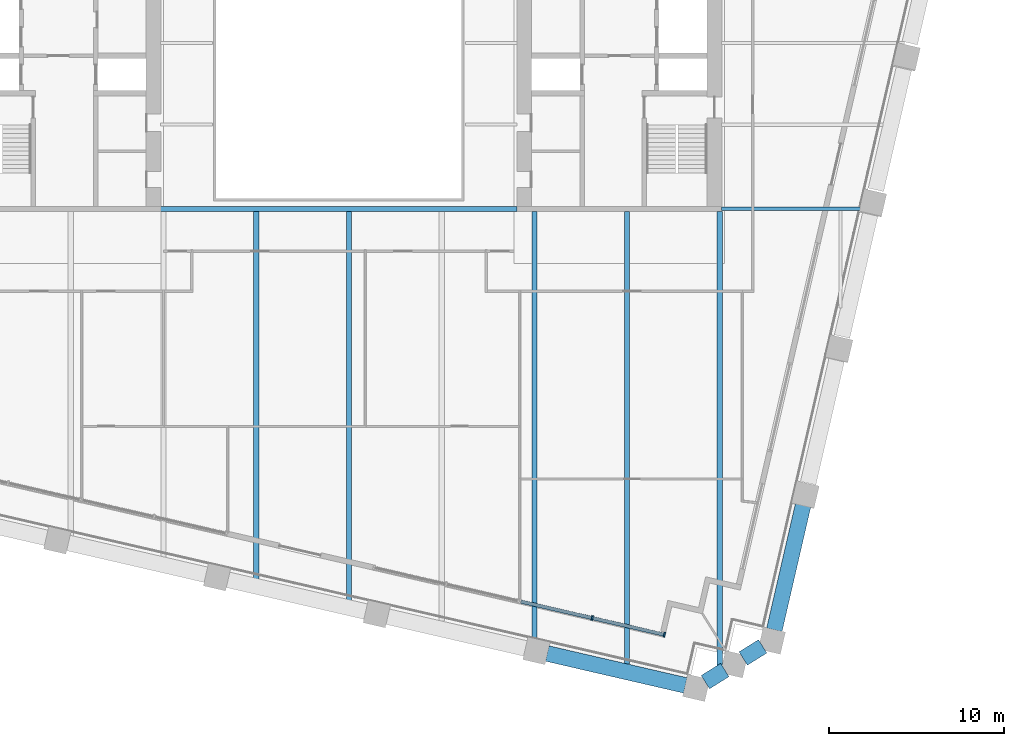
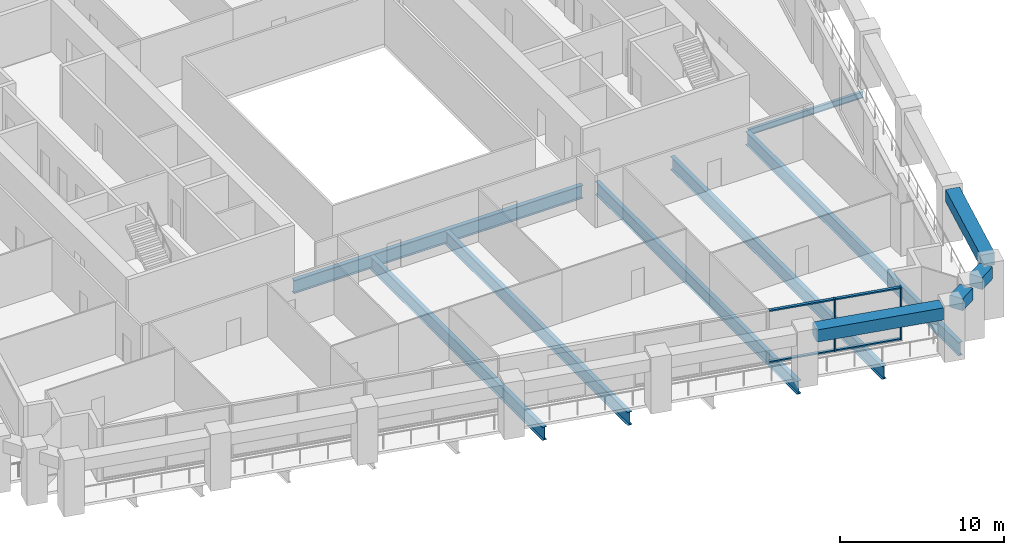
# One storey, part 3 of 12: 11 beams, 6 members, 1 element without a shape of its own.
"""IFC4 building model written with IfcOpenShell, lengths in metres."""

from ifc_helpers import new_model, si_unit, direction, frame, origin, origin_2d, place, context, subcontext, project, spatial, rectangle, i_section, extrude, material, material_profile, profile_set, type_object, element, aggregate, save


model = new_model("IFC4")

# Units and contexts
model_context = context("Model", 3, precision=1e-05, world=origin(), true_north=direction((0.0, 1.0)))
body_context = subcontext(model_context, "Body", "Model", "MODEL_VIEW")
ifc_project = project(units=[si_unit("LENGTHUNIT", "METRE"), si_unit("AREAUNIT", "SQUARE_METRE"), si_unit("VOLUMEUNIT", "CUBIC_METRE"), si_unit("PLANEANGLEUNIT", "RADIAN"), si_unit("MASSUNIT", "GRAM", prefix="KILO")], contexts=[model_context])

# Site, building, storey
site_placement = place(None, origin())
site = spatial("IfcSite", under=ifc_project, at=site_placement, CompositionType="ELEMENT")
building_placement = place(site_placement, origin())
building = spatial("IfcBuilding", under=site, at=building_placement, Name="Ogive Exchange Tower", CompositionType="ELEMENT")
storey_placement = place(building_placement, frame((0.0, 0.0, 156.0)))
storey = spatial("IfcBuildingStorey", under=building, at=storey_placement, Name="L34", CompositionType="ELEMENT", Elevation=156.0)

# Curtain wall, members
ifc_material_1 = material(Name="Anodised aluminium and clear glass", Category="aluminium")
curtain_wall_type = type_object("IfcCurtainWallType", Name="Executive floor glazing", PredefinedType="NOTDEFINED", material=ifc_material_1)
curtain_wall_placement = place(storey_placement, origin())
curtain_wall = element("IfcCurtainWall", 1, at=curtain_wall_placement, inside=storey, type_object=curtain_wall_type, Name="Executive floor glazing run G6", PredefinedType="NOTDEFINED")
ifc_material_2 = material(Name="Anodised aluminium", Category="aluminium")
ifc_material_profile_1 = material_profile(ifc_material_2, rectangle(XDim=0.280029296875, YDim=0.10009765625, at=origin_2d()), Name="AL 100x280")
ifc_profile_set_1 = profile_set([ifc_material_profile_1], Name="Anodised aluminium")
member_type_1 = type_object("IfcMemberType", Name="Executive floor glazing mullion 100 x 280", PredefinedType="MULLION", material=ifc_profile_set_1)
member_1_placement = place(storey_placement, frame((14.44970703125, -25.931640625, 0.0), z_axis=(0.0, 0.0, 1.0), x_axis=(0.224949196986, 0.974370493588, 0.0)))
member_1 = element("IfcMember", 2, at=member_1_placement, type_object=member_type_1, Name="G6 mullion 2", PredefinedType="MULLION", context=body_context, shape_type="SweptSolid", body=[
    extrude(rectangle(XDim=0.280029296875, YDim=0.10009765625, at=origin_2d()), origin(), (0.0, 0.0, 1.0), 3.89990234375),
])
member_2_placement = place(storey_placement, frame((18.56640625, -26.882080078125, 0.0), z_axis=(0.0, 0.0, 1.0), x_axis=(0.224949196986, 0.974370493588, 0.0)))
member_2 = element("IfcMember", 3, at=member_2_placement, type_object=member_type_1, Name="G6 mullion 3", PredefinedType="MULLION", context=body_context, shape_type="SweptSolid", body=[
    extrude(rectangle(XDim=0.280029296875, YDim=0.10009765625, at=origin_2d()), origin(), (0.0, 0.0, 1.0), 3.89990234375),
])
ifc_material_profile_2 = material_profile(ifc_material_2, rectangle(XDim=0.199951171875, YDim=0.10009765625, at=origin_2d()), Name="AL 100x200")
ifc_profile_set_2 = profile_set([ifc_material_profile_2], Name="Anodised aluminium")
member_type_2 = type_object("IfcMemberType", Name="Executive floor glazing transom 100 x 200", PredefinedType="USERDEFINED", material=ifc_profile_set_2)
member_3_placement = place(storey_placement, frame((10.3818359375, -24.99267578125, 0.050048828125), z_axis=(0.974380221837, -0.224907054788, 0.0), x_axis=(0.224907054788, 0.974380221837, 0.0)))
member_3 = element("IfcMember", 4, at=member_3_placement, type_object=member_type_2, Name="G6 transom 1.1", ObjectType="TRANSOM", PredefinedType="USERDEFINED", context=body_context, shape_type="SweptSolid", body=[
    extrude(rectangle(XDim=0.199951171875, YDim=0.10009765625, at=origin_2d()), origin(), (0.0, 0.0, 1.0), 4.125),
])
member_4_placement = place(storey_placement, frame((10.3818359375, -24.99267578125, 3.85009765625), z_axis=(0.974380221837, -0.224907054788, 0.0), x_axis=(0.224907054788, 0.974380221837, 0.0)))
member_4 = element("IfcMember", 5, at=member_4_placement, type_object=member_type_2, Name="G6 transom 1.2", ObjectType="TRANSOM", PredefinedType="USERDEFINED", context=body_context, shape_type="SweptSolid", body=[
    extrude(rectangle(XDim=0.199951171875, YDim=0.10009765625, at=origin_2d()), origin(), (0.0, 0.0, 1.0), 4.125),
])
member_5_placement = place(storey_placement, frame((14.49853515625, -25.943115234375, 0.050048828125), z_axis=(0.974380221837, -0.224907054788, 0.0), x_axis=(0.224907054788, 0.974380221837, 0.0)))
member_5 = element("IfcMember", 6, at=member_5_placement, type_object=member_type_2, Name="G6 transom 2.1", ObjectType="TRANSOM", PredefinedType="USERDEFINED", context=body_context, shape_type="SweptSolid", body=[
    extrude(rectangle(XDim=0.199951171875, YDim=0.10009765625, at=origin_2d()), origin(), (0.0, 0.0, 1.0), 4.125),
])
member_6_placement = place(storey_placement, frame((14.49853515625, -25.943115234375, 3.85009765625), z_axis=(0.974380221837, -0.224907054788, 0.0), x_axis=(0.224907054788, 0.974380221837, 0.0)))
member_6 = element("IfcMember", 7, at=member_6_placement, type_object=member_type_2, Name="G6 transom 2.2", ObjectType="TRANSOM", PredefinedType="USERDEFINED", context=body_context, shape_type="SweptSolid", body=[
    extrude(rectangle(XDim=0.199951171875, YDim=0.10009765625, at=origin_2d()), origin(), (0.0, 0.0, 1.0), 4.125),
])
aggregate(curtain_wall, [member_1, member_2, member_3, member_4, member_5, member_6])

# Beams
ifc_material_3 = material(Name="Steel ASTM A992 Gr50", Category="steel")
ifc_material_profile_3 = material_profile(ifc_material_3, i_section(OverallWidth=0.300048828125, OverallDepth=0.97998046875, WebThickness=0.0166015625, FlangeThickness=0.026123046875, at=origin_2d()), Name="W1000x249")
ifc_profile_set_3 = profile_set([ifc_material_profile_3], Name="Steel ASTM A992 Gr50")
beam_type_1 = type_object("IfcBeamType", Name="Floor beam W1000x249", PredefinedType="JOIST", material=ifc_profile_set_3)
beam_1_placement = place(storey_placement, frame((-4.71142578125, -23.813232421875, -0.739990234375), z_axis=(0.0, 1.0, 0.0), x_axis=(-1.0, 0.0, 0.0)))
element("IfcBeam", 8, at=beam_1_placement, inside=storey, type_object=beam_type_1, Name="Floor beam", PredefinedType="JOIST", context=body_context, shape_type="SweptSolid", body=[
    extrude(i_section(OverallWidth=0.300048828125, OverallDepth=0.97998046875, WebThickness=0.0166015625, FlangeThickness=0.026123046875, at=origin_2d()), origin(), (0.0, 0.0, 1.0), 21.068115234375),
])
beam_2_placement = place(storey_placement, frame((0.57666015625, -25.0341796875, -0.739990234375), z_axis=(0.0, 1.0, 0.0), x_axis=(-1.0, 0.0, 0.0)))
element("IfcBeam", 9, at=beam_2_placement, inside=storey, type_object=beam_type_1, Name="Floor beam", PredefinedType="JOIST", context=body_context, shape_type="SweptSolid", body=[
    extrude(i_section(OverallWidth=0.300048828125, OverallDepth=0.97998046875, WebThickness=0.0166015625, FlangeThickness=0.026123046875, at=origin_2d()), origin(), (0.0, 0.0, 1.0), 22.2890625),
])
beam_3_placement = place(storey_placement, frame((11.153076171875, -27.32568359375, -0.739990234375), z_axis=(0.0, 1.0, 0.0), x_axis=(-1.0, 0.0, 0.0)))
element("IfcBeam", 10, at=beam_3_placement, inside=storey, type_object=beam_type_1, Name="Floor beam", PredefinedType="JOIST", context=body_context, shape_type="SweptSolid", body=[
    extrude(i_section(OverallWidth=0.300048828125, OverallDepth=0.97998046875, WebThickness=0.0166015625, FlangeThickness=0.026123046875, at=origin_2d()), origin(), (0.0, 0.0, 1.0), 24.57568359375),
])
beam_4_placement = place(storey_placement, frame((16.441162109375, -28.546630859375, -0.739990234375), z_axis=(0.0, 1.0, 0.0), x_axis=(-1.0, 0.0, 0.0)))
element("IfcBeam", 11, at=beam_4_placement, inside=storey, type_object=beam_type_1, Name="Floor beam", PredefinedType="JOIST", context=body_context, shape_type="SweptSolid", body=[
    extrude(i_section(OverallWidth=0.300048828125, OverallDepth=0.97998046875, WebThickness=0.0166015625, FlangeThickness=0.026123046875, at=origin_2d()), origin(), (0.0, 0.0, 1.0), 25.796630859375),
])
beam_5_placement = place(storey_placement, frame((21.729248046875, -28.6943359375, -0.739990234375), z_axis=(0.0, 1.0, 0.0), x_axis=(-1.0, 0.0, 0.0)))
element("IfcBeam", 12, at=beam_5_placement, inside=storey, type_object=beam_type_1, Name="Floor beam", PredefinedType="JOIST", context=body_context, shape_type="SweptSolid", body=[
    extrude(i_section(OverallWidth=0.300048828125, OverallDepth=0.97998046875, WebThickness=0.0166015625, FlangeThickness=0.026123046875, at=origin_2d()), origin(), (0.0, 0.0, 1.0), 25.9443359375),
])
ifc_material_profile_4 = material_profile(ifc_material_3, i_section(OverallWidth=0.300048828125, OverallDepth=0.97998046875, WebThickness=0.0166015625, FlangeThickness=0.026123046875, at=origin_2d()), Name="W1000x249")
ifc_profile_set_4 = profile_set([ifc_material_profile_4], Name="Steel ASTM A992 Gr50")
beam_type_2 = type_object("IfcBeamType", Name="Girder W1000x249", PredefinedType="BEAM", material=ifc_profile_set_4)
beam_6_placement = place(storey_placement, frame((-10.169921875, -2.594970703125, -0.739990234375), z_axis=(1.0, 0.0, 0.0), x_axis=(0.0, 1.0, 0.0)))
element("IfcBeam", 13, at=beam_6_placement, inside=storey, type_object=beam_type_2, Name="Header girder", PredefinedType="BEAM", context=body_context, shape_type="SweptSolid", body=[
    extrude(i_section(OverallWidth=0.300048828125, OverallDepth=0.97998046875, WebThickness=0.0166015625, FlangeThickness=0.026123046875, at=origin_2d()), origin(), (0.0, 0.0, 1.0), 20.33984375),
])
ifc_material_profile_5 = material_profile(ifc_material_3, i_section(OverallWidth=0.19091796875, OverallDepth=0.45703125, WebThickness=0.009033203125, FlangeThickness=0.014404296875, at=origin_2d()), Name="W460x74")
ifc_profile_set_5 = profile_set([ifc_material_profile_5], Name="Steel ASTM A992 Gr50")
beam_type_3 = type_object("IfcBeamType", Name="Girder W460x74", PredefinedType="BEAM", material=ifc_profile_set_5)
beam_7_placement = place(storey_placement, frame((21.830078125, -2.594970703125, -0.478515625), z_axis=(1.0, 0.0, 0.0), x_axis=(0.0, 1.0, 0.0)))
element("IfcBeam", 14, at=beam_7_placement, inside=storey, type_object=beam_type_3, Name="Header girder", PredefinedType="BEAM", context=body_context, shape_type="SweptSolid", body=[
    extrude(i_section(OverallWidth=0.19091796875, OverallDepth=0.45703125, WebThickness=0.009033203125, FlangeThickness=0.014404296875, at=origin_2d()), origin(), (0.0, 0.0, 1.0), 8.0908203125),
])
ifc_material_4 = material(Name="Precast concrete C70/85 (limestone faced)", Category="masonry")
ifc_material_profile_6 = material_profile(ifc_material_4, rectangle(XDim=0.89990234375, YDim=0.89990234375, at=origin_2d()), Name="900 x 900")
ifc_profile_set_6 = profile_set([ifc_material_profile_6], Name="Precast concrete C70/85 (limestone faced)")
beam_type_4 = type_object("IfcBeamType", Name="Precast spandrel 900 x 900 C70/85", PredefinedType="SPANDREL", material=ifc_profile_set_6)
beam_8_placement = place(storey_placement, frame((11.883544921875, -27.956298828125, 3.5), z_axis=(0.974370337884, -0.224949871421, 0.0), x_axis=(0.224949871421, 0.974370337884, 0.0)))
element("IfcBeam", 15, at=beam_8_placement, inside=storey, type_object=beam_type_4, Name="Spandrel 6", PredefinedType="SPANDREL", context=body_context, shape_type="SweptSolid", body=[
    extrude(rectangle(XDim=0.89990234375, YDim=0.89990234375, at=origin_2d()), origin(), (0.0, 0.0, 1.0), 8.08984375),
])
for number, where, z_axis, x_axis, name in (
    (16, (20.9052734375, -29.58984375, 3.5), (0.848040277303, 0.529931776808, 0.0), (-0.529931776808, 0.848040277303, 0.0), "Spandrel 7"),
    (17, (23.06396484375, -28.24072265625, 3.5), (0.848092721491, 0.529847842077, 0.0), (-0.529847842077, 0.848092721491, 0.0), "Spandrel 8"),
):
    element("IfcBeam", number, at=place(storey_placement, frame(where, z_axis=z_axis, x_axis=x_axis)), inside=storey, type_object=beam_type_4, Name=name, PredefinedType="SPANDREL", context=body_context, shape_type="SweptSolid", body=[
        extrude(rectangle(XDim=0.89990234375, YDim=0.89990234375, at=origin_2d()), origin(), (0.0, 0.0, 1.0), 1.30712890625),
    ])
beam_9_placement = place(storey_placement, frame((24.83935546875, -26.606201171875, 3.5), z_axis=(0.224942243919, 0.97437209879, 0.0), x_axis=(-0.97437209879, 0.224942243919, 0.0)))
element("IfcBeam", 18, at=beam_9_placement, inside=storey, type_object=beam_type_4, Name="Spandrel 9", PredefinedType="SPANDREL", context=body_context, shape_type="SweptSolid", body=[
    extrude(rectangle(XDim=0.89990234375, YDim=0.89990234375, at=origin_2d()), origin(), (0.0, 0.0, 1.0), 7.3271484375),
])

save(model, "model.ifc")
